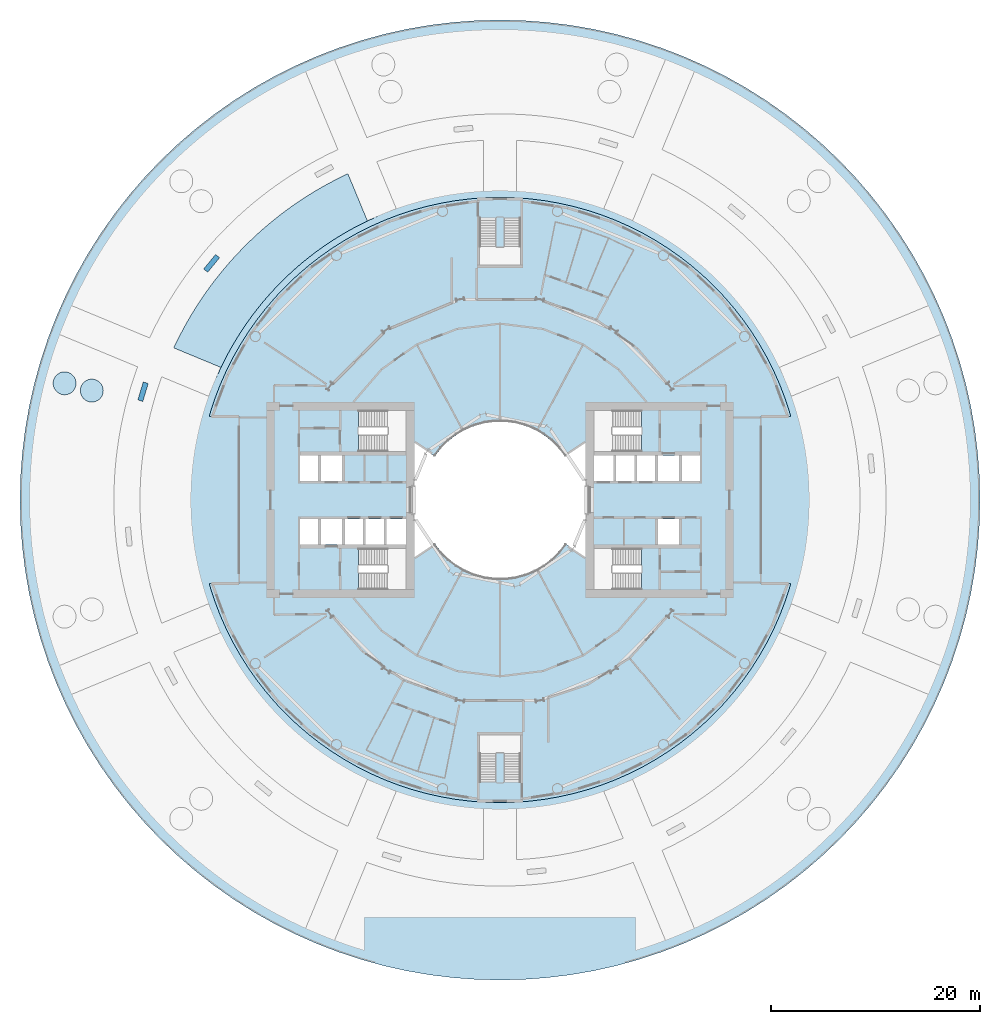
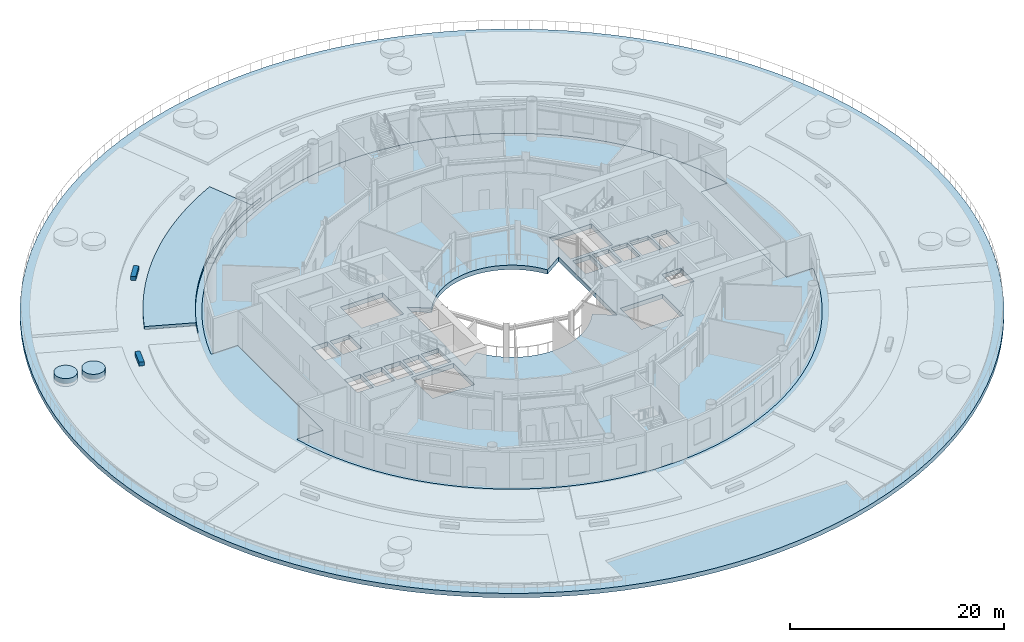
# One storey, part 5 of 19: 7 slabs.
"""IFC4 building model written with IfcOpenShell, lengths in metres."""

from ifc_helpers import new_model, si_unit, direction, frame, origin, place, context, subcontext, project, spatial, polyline, outline, extrude, material, layer, layer_set, type_object, element, save


model = new_model("IFC4")

# Units and contexts
model_context = context("Model", 3, precision=1e-05, world=origin(), true_north=direction((0.0, 1.0)))
body_context = subcontext(model_context, "Body", "Model", "MODEL_VIEW")
ifc_project = project(units=[si_unit("LENGTHUNIT", "METRE"), si_unit("AREAUNIT", "SQUARE_METRE"), si_unit("VOLUMEUNIT", "CUBIC_METRE"), si_unit("PLANEANGLEUNIT", "RADIAN"), si_unit("MASSUNIT", "GRAM", prefix="KILO")], contexts=[model_context])

# Site, building, storey
site_placement = place(None, origin())
site = spatial("IfcSite", under=ifc_project, at=site_placement, CompositionType="ELEMENT")
building_placement = place(site_placement, origin())
building = spatial("IfcBuilding", under=site, at=building_placement, Name="Maasbend Ring Residences", CompositionType="ELEMENT")
storey_placement = place(building_placement, frame((0.0, 0.0, 9.60009765625)))
storey = spatial("IfcBuildingStorey", under=building, at=storey_placement, Name="L02", CompositionType="ELEMENT", Elevation=9.60009765625)

# Slabs
ifc_material_1 = material(Name="Timber slats on steel frame", Category="steel")
ifc_layer_1 = layer(ifc_material_1, 0.449951171875)
ifc_layer_set_1 = layer_set([ifc_layer_1], Name="BENCH-DK")
slab_type_1 = type_object("IfcSlabType", Name="BENCH-DK", PredefinedType="USERDEFINED", material=ifc_layer_set_1)
slab_1_placement = place(storey_placement, frame((0.0, 0.0, 0.0498046875)))
element("IfcSlab", 1, at=slab_1_placement, inside=storey, type_object=slab_type_1, Name="Garden bench 7", ObjectType="BENCH", PredefinedType="USERDEFINED", context=body_context, shape_type="SweptSolid", body=[
    extrude(outline(polyline([(-27.257080078125, 23.533935546875), (-28.39892578125, 22.14208984375), (-28.012939453125, 21.824951171875), (-26.87109375, 23.217041015625), (-27.257080078125, 23.533935546875)])), origin(), (0.0, 0.0, 1.0), 0.4501953125),
])
slab_2_placement = place(storey_placement, frame((0.0, 0.0, 0.0498046875)))
element("IfcSlab", 2, at=slab_2_placement, inside=storey, type_object=slab_type_1, Name="Garden bench 8", ObjectType="BENCH", PredefinedType="USERDEFINED", context=body_context, shape_type="SweptSolid", body=[
    extrude(outline(polyline([(-34.18896484375, 11.31103515625), (-34.7109375, 9.589111328125), (-34.23291015625, 9.444091796875), (-33.7099609375, 11.166015625), (-34.18896484375, 11.31103515625)])), origin(), (0.0, 0.0, 1.0), 0.4501953125),
])
ifc_material_2 = material(Name="Lawn and planting")
ifc_layer_2 = layer(ifc_material_2, 0.89990234375)
ifc_layer_set_2 = layer_set([ifc_layer_2], Name="PLANTER-DK")
slab_type_2 = type_object("IfcSlabType", Name="PLANTER-DK", PredefinedType="USERDEFINED", material=ifc_layer_set_2)
slab_3_placement = place(storey_placement, origin())
element("IfcSlab", 3, at=slab_3_placement, inside=storey, type_object=slab_type_2, Name="Lawn and planting bed 13", ObjectType="PLANTER", PredefinedType="USERDEFINED", context=body_context, shape_type="SweptSolid", body=[
    extrude(outline(polyline([(-12.216064453125, 26.9619140625), (-12.656005859375, 26.758056640625), (-13.092041015625, 26.547119140625), (-13.52392578125, 26.330078125), (-13.952880859375, 26.10498046875), (-14.37890625, 25.873046875), (-14.800048828125, 25.634033203125), (-15.217041015625, 25.388916015625), (-15.631103515625, 25.135986328125), (-16.0400390625, 24.876953125), (-16.445068359375, 24.612060546875), (-16.844970703125, 24.339111328125), (-17.240966796875, 24.06005859375), (-17.633056640625, 23.77490234375), (-18.01904296875, 23.48291015625), (-18.40087890625, 23.18505859375), (-18.778076171875, 22.881103515625), (-19.14990234375, 22.571044921875), (-19.51708984375, 22.25390625), (-19.8779296875, 21.931884765625), (-20.23388671875, 21.60400390625), (-20.5849609375, 21.27001953125), (-20.929931640625, 20.929931640625), (-21.27001953125, 20.5849609375), (-21.60400390625, 20.23388671875), (-21.931884765625, 19.8779296875), (-22.25390625, 19.51708984375), (-22.571044921875, 19.14990234375), (-22.881103515625, 18.778076171875), (-23.18505859375, 18.40087890625), (-23.48291015625, 18.01904296875), (-23.77490234375, 17.633056640625), (-24.06005859375, 17.240966796875), (-24.339111328125, 16.844970703125), (-24.612060546875, 16.445068359375), (-24.876953125, 16.0400390625), (-25.135986328125, 15.631103515625), (-25.388916015625, 15.217041015625), (-25.634033203125, 14.800048828125), (-25.873046875, 14.37890625), (-26.10498046875, 13.952880859375), (-26.330078125, 13.52392578125), (-26.547119140625, 13.092041015625), (-26.758056640625, 12.656005859375), (-26.9619140625, 12.216064453125), (-27.157958984375, 11.77294921875), (-27.346923828125, 11.326904296875), (-26.77294921875, 12.712890625), (-31.26904296875, 14.575927734375), (-31.18798828125, 14.7509765625), (-30.94189453125, 15.259033203125), (-30.68798828125, 15.762939453125), (-30.426025390625, 16.262939453125), (-30.156005859375, 16.759033203125), (-29.8779296875, 17.25), (-29.592041015625, 17.737060546875), (-29.297119140625, 18.218017578125), (-28.9951171875, 18.695068359375), (-28.68603515625, 19.1669921875), (-28.367919921875, 19.634033203125), (-28.04296875, 20.094970703125), (-27.7109375, 20.552001953125), (-27.37109375, 21.001953125), (-27.02294921875, 21.447021484375), (-26.6689453125, 21.886962890625), (-26.306884765625, 22.320068359375), (-25.93798828125, 22.7470703125), (-25.56298828125, 23.1689453125), (-25.179931640625, 23.583984375), (-24.791015625, 23.992919921875), (-24.39501953125, 24.39501953125), (-23.992919921875, 24.791015625), (-23.583984375, 25.179931640625), (-23.1689453125, 25.56298828125), (-22.7470703125, 25.93798828125), (-22.320068359375, 26.306884765625), (-21.886962890625, 26.6689453125), (-21.447021484375, 27.02294921875), (-21.001953125, 27.37109375), (-20.552001953125, 27.7109375), (-20.094970703125, 28.04296875), (-19.634033203125, 28.367919921875), (-19.1669921875, 28.68603515625), (-18.695068359375, 28.9951171875), (-18.218017578125, 29.297119140625), (-17.737060546875, 29.592041015625), (-17.25, 29.8779296875), (-16.759033203125, 30.156005859375), (-16.262939453125, 30.426025390625), (-15.762939453125, 30.68798828125), (-15.259033203125, 30.94189453125), (-14.7509765625, 31.18798828125), (-14.575927734375, 31.26904296875), (-12.712890625, 26.77294921875), (-11.326904296875, 27.346923828125), (-11.77294921875, 27.157958984375), (-12.216064453125, 26.9619140625)])), origin(), (0.0, 0.0, 1.0), 0.349853515625),
])
slab_4_placement = place(storey_placement, origin())
element("IfcSlab", 4, at=slab_4_placement, inside=storey, type_object=slab_type_2, Name="Tree planter 6", ObjectType="PLANTER", PredefinedType="USERDEFINED", context=body_context, shape_type="SweptSolid", body=[
    extrude(outline(polyline([(-38.02001953125, 10.48193359375), (-38.029052734375, 10.339111328125), (-38.056884765625, 10.197021484375), (-38.10400390625, 10.06103515625), (-38.1669921875, 9.931884765625), (-38.2470703125, 9.81298828125), (-38.342041015625, 9.7041015625), (-38.449951171875, 9.60888671875), (-38.570068359375, 9.530029296875), (-38.698974609375, 9.466064453125), (-38.8349609375, 9.419921875), (-38.97607421875, 9.39208984375), (-39.1201171875, 9.382080078125), (-39.263916015625, 9.39208984375), (-39.405029296875, 9.419921875), (-39.541015625, 9.466064453125), (-39.669921875, 9.530029296875), (-39.7900390625, 9.60888671875), (-39.89794921875, 9.7041015625), (-39.992919921875, 9.81298828125), (-40.072998046875, 9.931884765625), (-40.135986328125, 10.06103515625), (-40.18310546875, 10.197021484375), (-40.2109375, 10.339111328125), (-40.219970703125, 10.48193359375), (-40.2109375, 10.6259765625), (-40.18310546875, 10.76708984375), (-40.135986328125, 10.903076171875), (-40.072998046875, 11.031982421875), (-39.992919921875, 11.152099609375), (-39.89794921875, 11.260009765625), (-39.7900390625, 11.35498046875), (-39.669921875, 11.43505859375), (-39.541015625, 11.498046875), (-39.405029296875, 11.544921875), (-39.263916015625, 11.572998046875), (-39.1201171875, 11.58203125), (-38.97607421875, 11.572998046875), (-38.8349609375, 11.544921875), (-38.698974609375, 11.498046875), (-38.570068359375, 11.43505859375), (-38.449951171875, 11.35498046875), (-38.342041015625, 11.260009765625), (-38.2470703125, 11.152099609375), (-38.1669921875, 11.031982421875), (-38.10400390625, 10.903076171875), (-38.056884765625, 10.76708984375), (-38.029052734375, 10.6259765625), (-38.02001953125, 10.48193359375)])), origin(), (0.0, 0.0, 1.0), 0.89990234375),
])
slab_5_placement = place(storey_placement, origin())
element("IfcSlab", 5, at=slab_5_placement, inside=storey, type_object=slab_type_2, Name="Tree planter 16", ObjectType="PLANTER", PredefinedType="USERDEFINED", context=body_context, shape_type="SweptSolid", body=[
    extrude(outline(polyline([(-40.6279296875, 11.180908203125), (-40.636962890625, 11.037109375), (-40.6650390625, 10.89599609375), (-40.7119140625, 10.760009765625), (-40.77490234375, 10.631103515625), (-40.85498046875, 10.510986328125), (-40.949951171875, 10.403076171875), (-41.05810546875, 10.30810546875), (-41.177978515625, 10.22802734375), (-41.306884765625, 10.1650390625), (-41.443115234375, 10.117919921875), (-41.583984375, 10.090087890625), (-41.72802734375, 10.0810546875), (-41.8720703125, 10.090087890625), (-42.012939453125, 10.117919921875), (-42.14892578125, 10.1650390625), (-42.278076171875, 10.22802734375), (-42.39794921875, 10.30810546875), (-42.506103515625, 10.403076171875), (-42.60107421875, 10.510986328125), (-42.680908203125, 10.631103515625), (-42.743896484375, 10.760009765625), (-42.791015625, 10.89599609375), (-42.819091796875, 11.037109375), (-42.827880859375, 11.180908203125), (-42.819091796875, 11.324951171875), (-42.791015625, 11.466064453125), (-42.743896484375, 11.60205078125), (-42.680908203125, 11.73095703125), (-42.60107421875, 11.85107421875), (-42.506103515625, 11.958984375), (-42.39794921875, 12.053955078125), (-42.278076171875, 12.134033203125), (-42.14892578125, 12.197021484375), (-42.012939453125, 12.243896484375), (-41.8720703125, 12.27197265625), (-41.72802734375, 12.281005859375), (-41.583984375, 12.27197265625), (-41.443115234375, 12.243896484375), (-41.306884765625, 12.197021484375), (-41.177978515625, 12.134033203125), (-41.05810546875, 12.053955078125), (-40.949951171875, 11.958984375), (-40.85498046875, 11.85107421875), (-40.77490234375, 11.73095703125), (-40.7119140625, 11.60205078125), (-40.6650390625, 11.466064453125), (-40.636962890625, 11.324951171875), (-40.6279296875, 11.180908203125)])), origin(), (0.0, 0.0, 1.0), 0.89990234375),
])
ifc_material_3 = material(Name="Concrete C40/50", Category="concrete")
ifc_layer_3 = layer(ifc_material_3, 0.5)
ifc_layer_set_3 = layer_set([ifc_layer_3], Name="Concrete C40/50")
slab_type_3 = type_object("IfcSlabType", Name="Post-tensioned flat plate 500", PredefinedType="FLOOR", material=ifc_layer_set_3)
slab_6_placement = place(storey_placement, frame((0.0, 0.0, -0.5)))
element("IfcSlab", 6, at=slab_6_placement, inside=storey, type_object=slab_type_3, Name="Floor slab L02", PredefinedType="FLOOR", context=body_context, shape_type="SweptSolid", body=[
    extrude(outline(polyline([(26.2158203125, -12.399169921875), (26.79248046875, -11.097900390625), (27.3046875, -9.769775390625), (27.751220703125, -8.418212890625), (27.866943359375, -8.0), (25.0, -8.0), (25.0, 8.0), (27.866943359375, 8.0), (27.751220703125, 8.418212890625), (27.3046875, 9.769775390625), (26.79248046875, 11.097900390625), (26.2158203125, 12.399169921875), (25.57568359375, 13.67041015625), (24.8740234375, 14.908935546875), (24.112548828125, 16.111572265625), (23.29296875, 17.275390625), (22.417236328125, 18.3974609375), (21.487548828125, 19.47509765625), (20.506103515625, 20.506103515625), (19.47509765625, 21.487548828125), (18.3974609375, 22.417236328125), (17.275390625, 23.29296875), (16.111572265625, 24.112548828125), (14.908935546875, 24.8740234375), (13.67041015625, 25.57568359375), (12.399169921875, 26.2158203125), (11.097900390625, 26.79248046875), (9.769775390625, 27.3046875), (8.418212890625, 27.751220703125), (7.04638671875, 28.130859375), (5.65771484375, 28.44287109375), (4.255126953125, 28.68603515625), (2.842529296875, 28.8603515625), (1.423095703125, 28.965087890625), (0.0, 29.0), (-1.423095703125, 28.965087890625), (-2.842529296875, 28.8603515625), (-4.255126953125, 28.68603515625), (-5.65771484375, 28.44287109375), (-7.04638671875, 28.130859375), (-8.418212890625, 27.751220703125), (-9.769775390625, 27.3046875), (-11.097900390625, 26.79248046875), (-12.399169921875, 26.2158203125), (-13.67041015625, 25.57568359375), (-14.908935546875, 24.8740234375), (-16.111572265625, 24.112548828125), (-17.275390625, 23.29296875), (-18.3974609375, 22.417236328125), (-19.47509765625, 21.487548828125), (-20.506103515625, 20.506103515625), (-21.487548828125, 19.47509765625), (-22.417236328125, 18.3974609375), (-23.29296875, 17.275390625), (-24.112548828125, 16.111572265625), (-24.8740234375, 14.908935546875), (-25.57568359375, 13.67041015625), (-26.2158203125, 12.399169921875), (-26.79248046875, 11.097900390625), (-27.3046875, 9.769775390625), (-27.751220703125, 8.418212890625), (-27.866943359375, 8.0), (-25.0, 8.0), (-25.0, -8.0), (-27.866943359375, -8.0), (-27.751220703125, -8.418212890625), (-27.3046875, -9.769775390625), (-26.79248046875, -11.097900390625), (-26.2158203125, -12.399169921875), (-25.57568359375, -13.67041015625), (-24.8740234375, -14.908935546875), (-24.112548828125, -16.111572265625), (-23.29296875, -17.275390625), (-22.417236328125, -18.3974609375), (-21.487548828125, -19.47509765625), (-20.506103515625, -20.506103515625), (-19.47509765625, -21.487548828125), (-18.3974609375, -22.417236328125), (-17.275390625, -23.29296875), (-16.111572265625, -24.112548828125), (-14.908935546875, -24.8740234375), (-13.67041015625, -25.57568359375), (-12.399169921875, -26.2158203125), (-11.097900390625, -26.79248046875), (-9.769775390625, -27.3046875), (-8.418212890625, -27.751220703125), (-7.04638671875, -28.130859375), (-5.65771484375, -28.44287109375), (-4.255126953125, -28.68603515625), (-2.842529296875, -28.8603515625), (-1.423095703125, -28.965087890625), (0.0, -29.0), (1.423095703125, -28.965087890625), (2.842529296875, -28.8603515625), (4.255126953125, -28.68603515625), (5.65771484375, -28.44287109375), (7.04638671875, -28.130859375), (8.418212890625, -27.751220703125), (9.769775390625, -27.3046875), (11.097900390625, -26.79248046875), (12.399169921875, -26.2158203125), (13.67041015625, -25.57568359375), (14.908935546875, -24.8740234375), (16.111572265625, -24.112548828125), (17.275390625, -23.29296875), (18.3974609375, -22.417236328125), (19.47509765625, -21.487548828125), (20.506103515625, -20.506103515625), (21.487548828125, -19.47509765625), (22.417236328125, -18.3974609375), (23.29296875, -17.275390625), (24.112548828125, -16.111572265625), (24.8740234375, -14.908935546875), (25.57568359375, -13.67041015625), (26.2158203125, -12.399169921875)]), holes=[polyline([(17.425048828125, 4.27490234375), (19.14990234375, 4.27490234375), (19.14990234375, 1.824951171875), (17.425048828125, 1.824951171875), (17.425048828125, 4.27490234375)]), polyline([(15.125, 1.824951171875), (15.125, 4.27490234375), (17.175048828125, 4.27490234375), (17.175048828125, 1.824951171875), (15.125, 1.824951171875)]), polyline([(15.125, -4.27490234375), (15.125, -1.824951171875), (17.175048828125, -1.824951171875), (17.175048828125, -4.27490234375), (15.125, -4.27490234375)]), polyline([(13.125, 1.824951171875), (13.125, 4.27490234375), (14.875, 4.27490234375), (14.875, 1.824951171875), (13.125, 1.824951171875)]), polyline([(13.550048828125, 4.64990234375), (9.0, 4.64990234375), (9.0, 8.60009765625), (13.550048828125, 8.60009765625), (13.550048828125, 4.64990234375)]), polyline([(13.550048828125, -4.64990234375), (13.550048828125, -8.60009765625), (9.0, -8.60009765625), (9.0, -4.64990234375), (13.550048828125, -4.64990234375)]), polyline([(11.125, 1.824951171875), (11.125, 4.27490234375), (12.875, 4.27490234375), (12.875, 1.824951171875), (11.125, 1.824951171875)]), polyline([(9.0, 1.824951171875), (9.0, 4.27490234375), (10.875, 4.27490234375), (10.875, 1.824951171875), (9.0, 1.824951171875)]), polyline([(6.024169921875, 4.4677734375), (6.236083984375, 4.166748046875), (8.199951171875, 5.47900390625), (8.199951171875, -5.47900390625), (6.236083984375, -4.166748046875), (6.024169921875, -4.4677734375), (5.797607421875, -4.7578125), (5.55712890625, -5.03662109375), (5.30322265625, -5.30322265625), (5.03662109375, -5.55712890625), (4.7578125, -5.797607421875), (4.4677734375, -6.024169921875), (4.166748046875, -6.236083984375), (3.855712890625, -6.43310546875), (3.535400390625, -6.614501953125), (3.206787109375, -6.77978515625), (2.8701171875, -6.92919921875), (2.526611328125, -7.0615234375), (2.177001953125, -7.177001953125), (1.822509765625, -7.275146484375), (1.463134765625, -7.35595703125), (1.1005859375, -7.418701171875), (0.735107421875, -7.4638671875), (0.367919921875, -7.490966796875), (0.0, -7.5), (-0.367919921875, -7.490966796875), (-0.735107421875, -7.4638671875), (-1.1005859375, -7.418701171875), (-1.463134765625, -7.35595703125), (-1.822509765625, -7.275146484375), (-2.177001953125, -7.177001953125), (-2.526611328125, -7.0615234375), (-2.8701171875, -6.92919921875), (-3.206787109375, -6.77978515625), (-3.535400390625, -6.614501953125), (-3.855712890625, -6.43310546875), (-4.166748046875, -6.236083984375), (-4.4677734375, -6.024169921875), (-4.7578125, -5.797607421875), (-5.03662109375, -5.55712890625), (-5.30322265625, -5.30322265625), (-5.55712890625, -5.03662109375), (-5.797607421875, -4.7578125), (-6.024169921875, -4.4677734375), (-6.236083984375, -4.166748046875), (-8.199951171875, -5.47900390625), (-8.199951171875, 5.47900390625), (-6.236083984375, 4.166748046875), (-6.236083984375, 4.166748046875), (-6.024169921875, 4.4677734375), (-5.797607421875, 4.7578125), (-5.55712890625, 5.03662109375), (-5.30322265625, 5.30322265625), (-5.03662109375, 5.55712890625), (-4.7578125, 5.797607421875), (-4.4677734375, 6.024169921875), (-4.166748046875, 6.236083984375), (-3.855712890625, 6.43310546875), (-3.535400390625, 6.614501953125), (-3.206787109375, 6.77978515625), (-2.8701171875, 6.92919921875), (-2.526611328125, 7.0615234375), (-2.177001953125, 7.177001953125), (-1.822509765625, 7.275146484375), (-1.463134765625, 7.35595703125), (-1.1005859375, 7.418701171875), (-0.735107421875, 7.4638671875), (-0.367919921875, 7.490966796875), (0.0, 7.5), (0.367919921875, 7.490966796875), (0.735107421875, 7.4638671875), (1.1005859375, 7.418701171875), (1.463134765625, 7.35595703125), (1.822509765625, 7.275146484375), (2.177001953125, 7.177001953125), (2.526611328125, 7.0615234375), (2.8701171875, 6.92919921875), (3.206787109375, 6.77978515625), (3.535400390625, 6.614501953125), (3.855712890625, 6.43310546875), (4.166748046875, 6.236083984375), (4.4677734375, 6.024169921875), (4.7578125, 5.797607421875), (5.03662109375, 5.55712890625), (5.30322265625, 5.30322265625), (5.55712890625, 5.03662109375), (5.797607421875, 4.7578125), (6.024169921875, 4.4677734375)]), polyline([(-13.550048828125, 4.64990234375), (-13.550048828125, 8.60009765625), (-9.0, 8.60009765625), (-9.0, 4.64990234375), (-13.550048828125, 4.64990234375)]), polyline([(-13.550048828125, -8.60009765625), (-13.550048828125, -4.64990234375), (-9.0, -4.64990234375), (-9.0, -8.60009765625), (-13.550048828125, -8.60009765625)]), polyline([(-9.0, -1.824951171875), (-9.0, -4.27490234375), (-10.875, -4.27490234375), (-10.875, -1.824951171875), (-9.0, -1.824951171875)]), polyline([(-11.125, -1.824951171875), (-11.125, -4.27490234375), (-12.875, -4.27490234375), (-12.875, -1.824951171875), (-11.125, -1.824951171875)]), polyline([(-13.125, -1.824951171875), (-13.125, -4.27490234375), (-14.875, -4.27490234375), (-14.875, -1.824951171875), (-13.125, -1.824951171875)]), polyline([(-15.125, 4.27490234375), (-15.125, 1.824951171875), (-17.175048828125, 1.824951171875), (-17.175048828125, 4.27490234375), (-15.125, 4.27490234375)]), polyline([(-15.125, -1.824951171875), (-15.125, -4.27490234375), (-17.175048828125, -4.27490234375), (-17.175048828125, -1.824951171875), (-15.125, -1.824951171875)]), polyline([(-17.425048828125, -1.824951171875), (-17.425048828125, -4.27490234375), (-19.14990234375, -4.27490234375), (-19.14990234375, -1.824951171875), (-17.425048828125, -1.824951171875)]), polyline([(-17.425048828125, 4.27490234375), (-17.425048828125, 1.824951171875), (-19.14990234375, 1.824951171875), (-19.14990234375, 4.27490234375), (-17.425048828125, 4.27490234375)])]), origin(), (0.0, 0.0, 1.0), 0.5),
])
ifc_material_4 = material(Name="Concrete C40/50", Category="concrete")
ifc_layer_4 = layer(ifc_material_4, 0.5)
ifc_layer_set_4 = layer_set([ifc_layer_4], Name="Concrete C40/50")
slab_type_4 = type_object("IfcSlabType", Name="Raised garden deck slab 500", PredefinedType="FLOOR", material=ifc_layer_set_4)
slab_7_placement = place(storey_placement, frame((0.0, 0.0, -0.5)))
element("IfcSlab", 7, at=slab_7_placement, inside=storey, type_object=slab_type_4, Name="Raised garden deck slab", PredefinedType="FLOOR", context=body_context, shape_type="SweptSolid", body=[
    extrude(outline(polyline([(45.944580078125, -2.257080078125), (46.0, 0.0), (45.944580078125, 2.257080078125), (45.778564453125, 4.5087890625), (45.502197265625, 6.74951171875), (45.1162109375, 8.97412109375), (44.621337890625, 11.177001953125), (44.019287109375, 13.35302734375), (43.31103515625, 15.496826171875), (42.49853515625, 17.603515625), (41.58349609375, 19.66748046875), (40.568359375, 21.68408203125), (39.45556640625, 23.648681640625), (38.24755859375, 25.55615234375), (36.947509765625, 27.402099609375), (35.55859375, 29.18212890625), (34.083740234375, 30.8916015625), (32.52685546875, 32.52685546875), (30.8916015625, 34.083740234375), (29.18212890625, 35.55859375), (27.402099609375, 36.947509765625), (25.55615234375, 38.24755859375), (23.648681640625, 39.45556640625), (21.68408203125, 40.568359375), (19.66748046875, 41.58349609375), (17.603515625, 42.49853515625), (15.496826171875, 43.31103515625), (13.35302734375, 44.019287109375), (11.177001953125, 44.621337890625), (8.97412109375, 45.1162109375), (6.74951171875, 45.502197265625), (4.5087890625, 45.778564453125), (2.257080078125, 45.944580078125), (0.0, 46.0), (-2.257080078125, 45.944580078125), (-4.5087890625, 45.778564453125), (-6.74951171875, 45.502197265625), (-8.97412109375, 45.1162109375), (-11.177001953125, 44.621337890625), (-13.35302734375, 44.019287109375), (-15.496826171875, 43.31103515625), (-17.603515625, 42.49853515625), (-19.66748046875, 41.58349609375), (-21.68408203125, 40.568359375), (-23.648681640625, 39.45556640625), (-25.55615234375, 38.24755859375), (-27.402099609375, 36.947509765625), (-29.18212890625, 35.55859375), (-30.8916015625, 34.083740234375), (-32.52685546875, 32.52685546875), (-34.083740234375, 30.8916015625), (-35.55859375, 29.18212890625), (-36.947509765625, 27.402099609375), (-38.24755859375, 25.55615234375), (-39.45556640625, 23.648681640625), (-40.568359375, 21.68408203125), (-41.58349609375, 19.66748046875), (-42.49853515625, 17.603515625), (-43.31103515625, 15.496826171875), (-44.019287109375, 13.35302734375), (-44.621337890625, 11.177001953125), (-45.1162109375, 8.97412109375), (-45.502197265625, 6.74951171875), (-45.778564453125, 4.5087890625), (-45.944580078125, 2.257080078125), (-46.0, 0.0), (-45.944580078125, -2.257080078125), (-45.778564453125, -4.5087890625), (-45.502197265625, -6.74951171875), (-45.1162109375, -8.97412109375), (-44.621337890625, -11.177001953125), (-44.019287109375, -13.35302734375), (-43.31103515625, -15.496826171875), (-42.49853515625, -17.603515625), (-41.58349609375, -19.66748046875), (-40.568359375, -21.68408203125), (-39.45556640625, -23.648681640625), (-38.24755859375, -25.55615234375), (-36.947509765625, -27.402099609375), (-35.55859375, -29.18212890625), (-34.083740234375, -30.8916015625), (-32.52685546875, -32.52685546875), (-30.8916015625, -34.083740234375), (-29.18212890625, -35.55859375), (-27.402099609375, -36.947509765625), (-25.55615234375, -38.24755859375), (-23.648681640625, -39.45556640625), (-21.68408203125, -40.568359375), (-19.66748046875, -41.58349609375), (-17.603515625, -42.49853515625), (-15.496826171875, -43.31103515625), (-13.35302734375, -44.019287109375), (-11.177001953125, -44.621337890625), (-8.97412109375, -45.1162109375), (-6.74951171875, -45.502197265625), (-4.5087890625, -45.778564453125), (-2.257080078125, -45.944580078125), (0.0, -46.0), (2.257080078125, -45.944580078125), (4.5087890625, -45.778564453125), (6.74951171875, -45.502197265625), (8.97412109375, -45.1162109375), (11.177001953125, -44.621337890625), (13.35302734375, -44.019287109375), (15.496826171875, -43.31103515625), (17.603515625, -42.49853515625), (19.66748046875, -41.58349609375), (21.68408203125, -40.568359375), (23.648681640625, -39.45556640625), (25.55615234375, -38.24755859375), (27.402099609375, -36.947509765625), (29.18212890625, -35.55859375), (30.8916015625, -34.083740234375), (32.52685546875, -32.52685546875), (34.083740234375, -30.8916015625), (35.55859375, -29.18212890625), (36.947509765625, -27.402099609375), (38.24755859375, -25.55615234375), (39.45556640625, -23.648681640625), (40.568359375, -21.68408203125), (41.58349609375, -19.66748046875), (42.49853515625, -17.603515625), (43.31103515625, -15.496826171875), (44.019287109375, -13.35302734375), (44.621337890625, -11.177001953125), (45.1162109375, -8.97412109375), (45.502197265625, -6.74951171875), (45.778564453125, -4.5087890625), (45.944580078125, -2.257080078125)]), holes=[polyline([(27.751220703125, -8.418212890625), (27.3046875, -9.769775390625), (26.79248046875, -11.097900390625), (26.2158203125, -12.399169921875), (25.57568359375, -13.67041015625), (24.8740234375, -14.908935546875), (24.112548828125, -16.111572265625), (23.29296875, -17.275390625), (22.417236328125, -18.3974609375), (21.487548828125, -19.47509765625), (20.506103515625, -20.506103515625), (19.47509765625, -21.487548828125), (18.3974609375, -22.417236328125), (17.275390625, -23.29296875), (16.111572265625, -24.112548828125), (14.908935546875, -24.8740234375), (13.67041015625, -25.57568359375), (12.399169921875, -26.2158203125), (11.097900390625, -26.79248046875), (9.769775390625, -27.3046875), (8.418212890625, -27.751220703125), (7.04638671875, -28.130859375), (5.65771484375, -28.44287109375), (4.255126953125, -28.68603515625), (2.842529296875, -28.8603515625), (1.423095703125, -28.965087890625), (0.0, -29.0), (-1.423095703125, -28.965087890625), (-2.842529296875, -28.8603515625), (-4.255126953125, -28.68603515625), (-5.65771484375, -28.44287109375), (-7.04638671875, -28.130859375), (-8.418212890625, -27.751220703125), (-9.769775390625, -27.3046875), (-11.097900390625, -26.79248046875), (-12.399169921875, -26.2158203125), (-13.67041015625, -25.57568359375), (-14.908935546875, -24.8740234375), (-16.111572265625, -24.112548828125), (-17.275390625, -23.29296875), (-18.3974609375, -22.417236328125), (-19.47509765625, -21.487548828125), (-20.506103515625, -20.506103515625), (-21.487548828125, -19.47509765625), (-22.417236328125, -18.3974609375), (-23.29296875, -17.275390625), (-24.112548828125, -16.111572265625), (-24.8740234375, -14.908935546875), (-25.57568359375, -13.67041015625), (-26.2158203125, -12.399169921875), (-26.79248046875, -11.097900390625), (-27.3046875, -9.769775390625), (-27.751220703125, -8.418212890625), (-27.866943359375, -8.0), (-25.0, -8.0), (-25.0, 8.0), (-27.866943359375, 8.0), (-27.751220703125, 8.418212890625), (-27.3046875, 9.769775390625), (-26.79248046875, 11.097900390625), (-26.2158203125, 12.399169921875), (-25.57568359375, 13.67041015625), (-24.8740234375, 14.908935546875), (-24.112548828125, 16.111572265625), (-23.29296875, 17.275390625), (-22.417236328125, 18.3974609375), (-21.487548828125, 19.47509765625), (-20.506103515625, 20.506103515625), (-19.47509765625, 21.487548828125), (-18.3974609375, 22.417236328125), (-17.275390625, 23.29296875), (-16.111572265625, 24.112548828125), (-14.908935546875, 24.8740234375), (-13.67041015625, 25.57568359375), (-12.399169921875, 26.2158203125), (-11.097900390625, 26.79248046875), (-9.769775390625, 27.3046875), (-8.418212890625, 27.751220703125), (-7.04638671875, 28.130859375), (-5.65771484375, 28.44287109375), (-4.255126953125, 28.68603515625), (-2.842529296875, 28.8603515625), (-1.423095703125, 28.965087890625), (0.0, 29.0), (1.423095703125, 28.965087890625), (2.842529296875, 28.8603515625), (4.255126953125, 28.68603515625), (5.65771484375, 28.44287109375), (7.04638671875, 28.130859375), (8.418212890625, 27.751220703125), (9.769775390625, 27.3046875), (11.097900390625, 26.79248046875), (12.399169921875, 26.2158203125), (13.67041015625, 25.57568359375), (14.908935546875, 24.8740234375), (16.111572265625, 24.112548828125), (17.275390625, 23.29296875), (18.3974609375, 22.417236328125), (19.47509765625, 21.487548828125), (20.506103515625, 20.506103515625), (21.487548828125, 19.47509765625), (22.417236328125, 18.3974609375), (23.29296875, 17.275390625), (24.112548828125, 16.111572265625), (24.8740234375, 14.908935546875), (25.57568359375, 13.67041015625), (26.2158203125, 12.399169921875), (26.79248046875, 11.097900390625), (27.3046875, 9.769775390625), (27.751220703125, 8.418212890625), (27.866943359375, 8.0), (25.0, 8.0), (25.0, -8.0), (27.866943359375, -8.0), (27.751220703125, -8.418212890625)])]), origin(), (0.0, 0.0, 1.0), 0.5),
])

save(model, "model.ifc")
